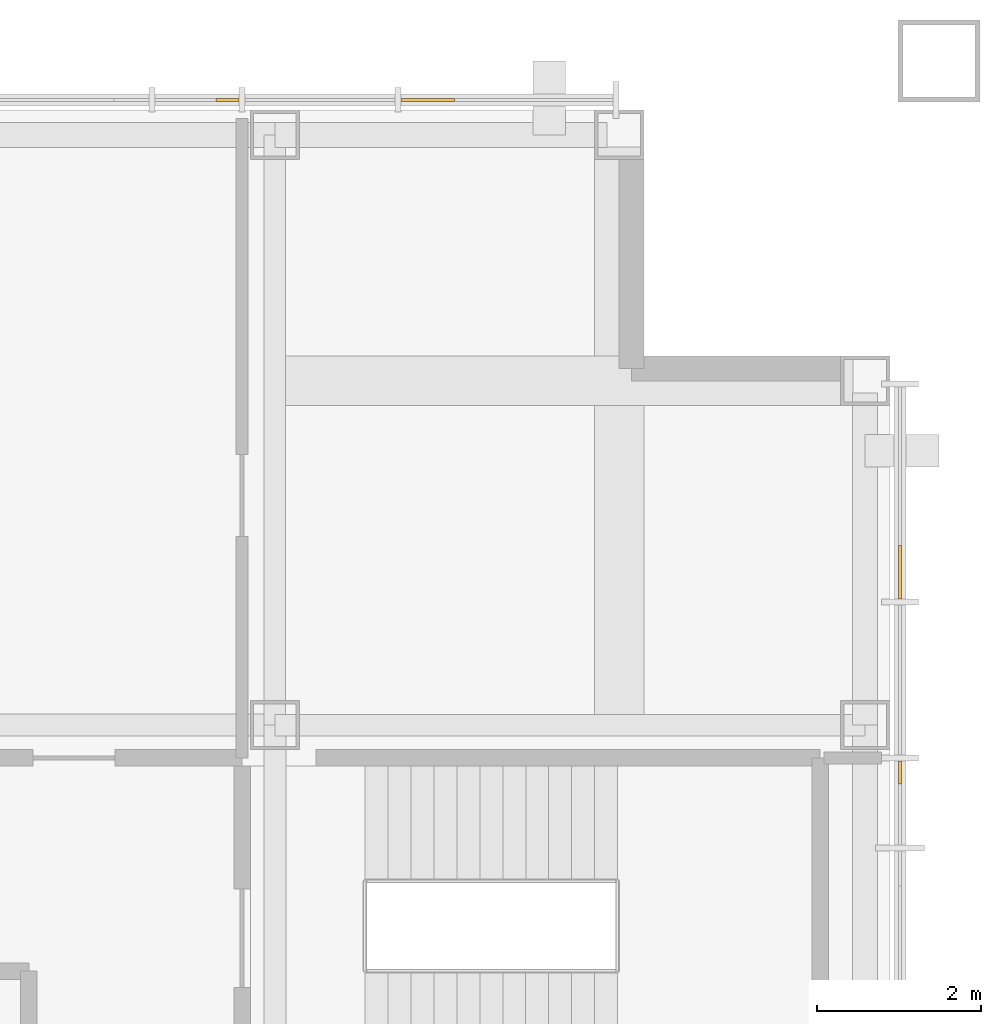
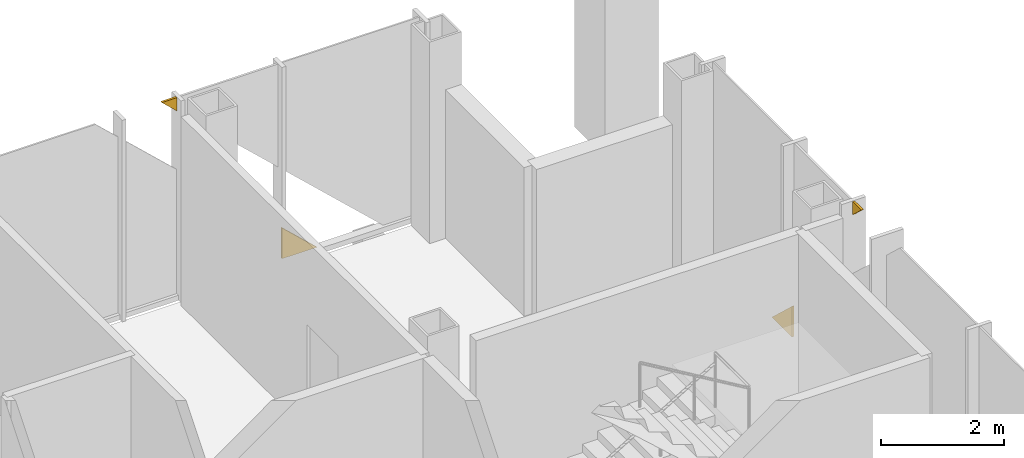
# One storey, part 16 of 16: 4 coverings.
"""IFC4 building model written with IfcOpenShell, lengths in metres."""

from ifc_helpers import new_model, si_unit, direction, frame, origin, place, context, subcontext, project, spatial, polyline, outline, extrude, material, layer, layer_set, type_object, element, save


model = new_model("IFC4")

# Units and contexts
model_context = context("Model", 3, precision=1e-05, world=origin(), true_north=direction((0.0, 1.0)))
body_context = subcontext(model_context, "Body", "Model", "MODEL_VIEW")
ifc_project = project(units=[si_unit("LENGTHUNIT", "METRE"), si_unit("AREAUNIT", "SQUARE_METRE"), si_unit("VOLUMEUNIT", "CUBIC_METRE"), si_unit("PLANEANGLEUNIT", "RADIAN"), si_unit("MASSUNIT", "GRAM", prefix="KILO")], contexts=[model_context])

# Site, building, storey
site_placement = place(None, origin())
site = spatial("IfcSite", under=ifc_project, at=site_placement, CompositionType="ELEMENT")
building_placement = place(site_placement, origin())
building = spatial("IfcBuilding", under=site, at=building_placement, Name="Malebo Sky Hospital", CompositionType="ELEMENT")
storey_placement = place(building_placement, frame((0.0, 0.0, 254.0)))
storey = spatial("IfcBuildingStorey", under=building, at=storey_placement, Name="L61", CompositionType="ELEMENT", Elevation=254.0)

# Coverings
ifc_material = material(Name="Anodised aluminium, natural silver insulated infill panel", Category="aluminium")
ifc_layer = layer(ifc_material, 0.0400390625)
ifc_layer_set = layer_set([ifc_layer], Name="BRACE INFILL PANEL 40")
covering_type = type_object("IfcCoveringType", Name="BRACE INFILL PANEL 40", PredefinedType="CLADDING", material=ifc_layer_set)
covering_1_placement = place(storey_placement, frame((72.922119140625, 83.125, 3.726806640625), z_axis=(0.0, 0.0, 1.0), x_axis=(1.0, 0.0, 0.0)))
element("IfcCovering", 1, at=covering_1_placement, inside=storey, type_object=covering_type, Name="Brace infill panel 13.1", PredefinedType="CLADDING", context=body_context, shape_type="SweptSolid", body=[
    extrude(outline(polyline([(0.140380859375, 0.0), (0.140380859375, 0.26318359375), (-0.140380859375, 0.26318359375), (0.140380859375, 0.0)])), frame((0.0, 0.02001953125, 0.0), z_axis=(0.0, -1.0, 0.0), x_axis=(1.0, 0.0, 0.0)), (0.0, 0.0, 1.0), 0.0400390625),
])
covering_2_placement = place(storey_placement, frame((75.3642578125, 83.125, 0.10009765625), z_axis=(0.0, 0.0, 1.0), x_axis=(1.0, 0.0, 0.0)))
element("IfcCovering", 2, at=covering_2_placement, inside=storey, type_object=covering_type, Name="Brace infill panel 15.1", PredefinedType="CLADDING", context=body_context, shape_type="SweptSolid", body=[
    extrude(outline(polyline([(-0.32666015625, 0.0), (0.32666015625, 0.0), (-0.32666015625, 0.61181640625), (-0.32666015625, 0.0)])), frame((0.0, 0.02001953125, 0.0), z_axis=(0.0, -1.0, 0.0), x_axis=(1.0, 0.0, 0.0)), (0.0, 0.0, 1.0), 0.0400390625),
])
covering_3_placement = place(storey_placement, frame((81.125, 77.3642578125, 0.10009765625), z_axis=(0.0, 0.0, 1.0), x_axis=(0.0, -1.0, 0.0)))
element("IfcCovering", 3, at=covering_3_placement, inside=storey, type_object=covering_type, Name="Brace infill panel 1.1", PredefinedType="CLADDING", context=body_context, shape_type="SweptSolid", body=[
    extrude(outline(polyline([(-0.32666015625, 0.0), (0.32666015625, 0.0), (0.32666015625, 0.61181640625), (-0.32666015625, 0.0)])), frame((0.0, 0.02001953125, 0.0), z_axis=(0.0, -1.0, 0.0), x_axis=(1.0, 0.0, 0.0)), (0.0, 0.0, 1.0), 0.0400390625),
])
covering_4_placement = place(storey_placement, frame((81.125, 74.922119140625, 3.726806640625), z_axis=(0.0, 0.0, 1.0), x_axis=(0.0, -1.0, 0.0)))
element("IfcCovering", 4, at=covering_4_placement, inside=storey, type_object=covering_type, Name="Brace infill panel 3.1", PredefinedType="CLADDING", context=body_context, shape_type="SweptSolid", body=[
    extrude(outline(polyline([(-0.140380859375, 0.0), (0.140380859375, 0.26318359375), (-0.140380859375, 0.26318359375), (-0.140380859375, 0.0)])), frame((0.0, 0.02001953125, 0.0), z_axis=(0.0, -1.0, 0.0), x_axis=(1.0, 0.0, 0.0)), (0.0, 0.0, 1.0), 0.0400390625),
])

save(model, "model.ifc")
